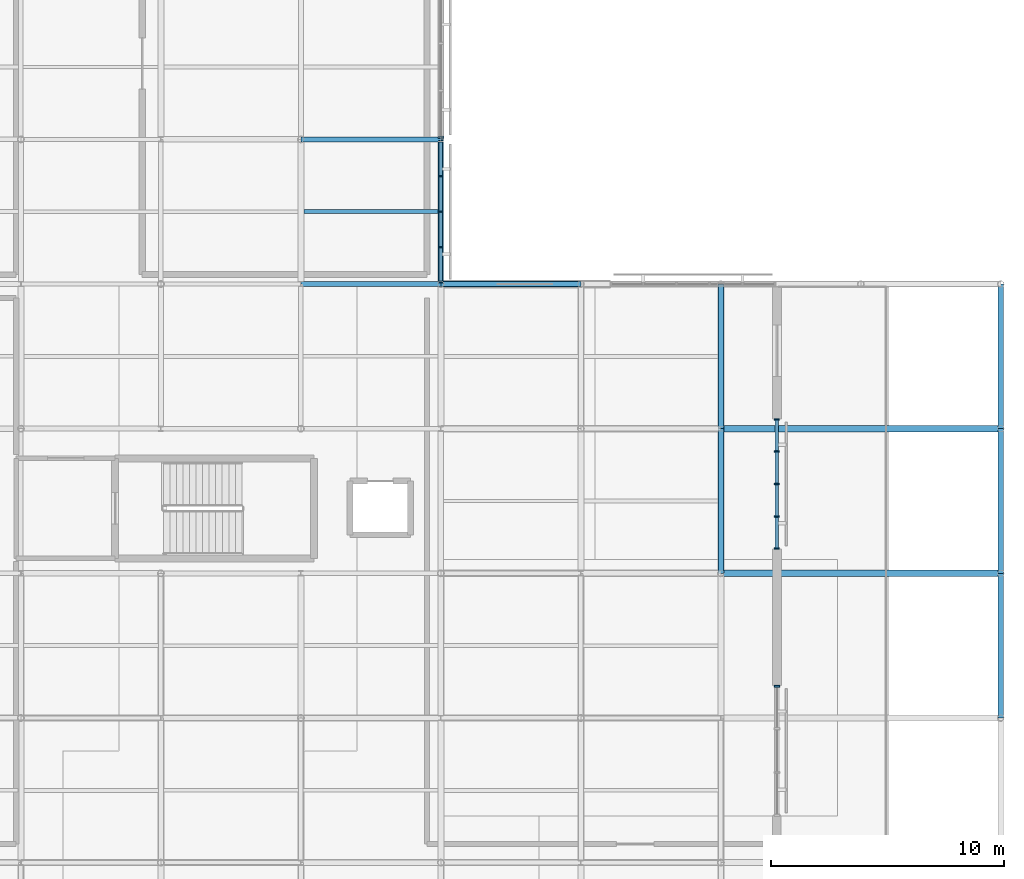
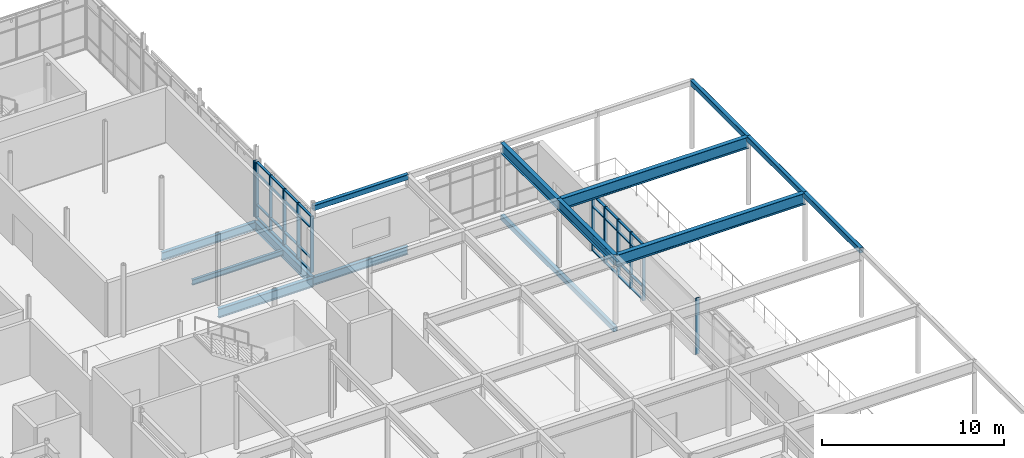
# One storey, part 31 of 48: 44 members, 15 beams, 4 elements without a shape of their own.
"""IFC4 building model written with IfcOpenShell, lengths in metres."""

from ifc_helpers import new_model, si_unit, direction, frame, origin, origin_2d, place, context, subcontext, project, spatial, rectangle, hollow_rectangle, i_section, extrude, material, layer, layer_set, material_profile, profile_set, type_object, element, aggregate, save


model = new_model("IFC4")

# Units and contexts
model_context = context("Model", 3, precision=1e-05, world=origin(), true_north=direction((0.0, 1.0)))
body_context = subcontext(model_context, "Body", "Model", "MODEL_VIEW")
ifc_project = project(units=[si_unit("LENGTHUNIT", "METRE"), si_unit("AREAUNIT", "SQUARE_METRE"), si_unit("VOLUMEUNIT", "CUBIC_METRE"), si_unit("PLANEANGLEUNIT", "RADIAN"), si_unit("MASSUNIT", "GRAM", prefix="KILO")], contexts=[model_context])

# Site, building, storey
site_placement = place(None, origin())
site = spatial("IfcSite", under=ifc_project, at=site_placement, CompositionType="ELEMENT")
building_placement = place(site_placement, origin())
building = spatial("IfcBuilding", under=site, at=building_placement, Name="Mirzam Square Science Centre", CompositionType="ELEMENT")
storey_placement = place(building_placement, frame((0.0, 0.0, 20.39990234375)))
storey = spatial("IfcBuildingStorey", under=building, at=storey_placement, Name="L04", CompositionType="ELEMENT", Elevation=20.39990234375)

# Beams
ifc_material_1 = material(Name="Steel S355", Category="steel")
ifc_material_profile_1 = material_profile(ifc_material_1, i_section(OverallWidth=0.2099609375, OverallDepth=0.53662109375, WebThickness=0.0107421875, FlangeThickness=0.017333984375, FilletRadius=0.0126953125, at=origin_2d()), Name="533x210x101UB")
ifc_profile_set_1 = profile_set([ifc_material_profile_1], Name="Steel S355")
beam_type_1 = type_object("IfcBeamType", Name="BM-UB533", PredefinedType="BEAM", material=ifc_profile_set_1)
for number, where, z_axis, x_axis, name in (
    (1, (138.0, 86.800048828125, -0.518310546875), (1.0, 0.0, 0.0), (0.0, 1.0, 0.0), "L04 girder X24-15"),
    (2, (132.0, 93.0, -0.518310546875), (1.0, 0.0, 0.0), (0.0, 1.0, 0.0), "L04 girder X23-16"),
):
    element("IfcBeam", number, at=place(storey_placement, frame(where, z_axis=z_axis, x_axis=x_axis)), inside=storey, type_object=beam_type_1, Name=name, PredefinedType="BEAM", context=body_context, shape_type="SweptSolid", body=[
        extrude(i_section(OverallWidth=0.2099609375, OverallDepth=0.53662109375, WebThickness=0.0107421875, FlangeThickness=0.017333984375, FilletRadius=0.0126953125, at=origin_2d()), origin(), (0.0, 0.0, 1.0), 6.0),
    ])
ifc_material_profile_2 = material_profile(ifc_material_1, i_section(OverallWidth=0.22900390625, OverallDepth=0.6123046875, WebThickness=0.011962890625, FlangeThickness=0.01953125, FilletRadius=0.0126953125, at=origin_2d()), Name="610x229x125UB")
ifc_profile_set_2 = profile_set([ifc_material_profile_2], Name="Steel S355")
beam_type_2 = type_object("IfcBeamType", Name="BM-UB610", PredefinedType="BEAM", material=ifc_profile_set_2)
beam_1_placement = place(storey_placement, frame((132.0, 86.800048828125, -0.555908203125), z_axis=(1.0, 0.0, 0.0), x_axis=(0.0, 1.0, 0.0)))
element("IfcBeam", 3, at=beam_1_placement, inside=storey, type_object=beam_type_2, Name="L04 girder X23-15", PredefinedType="BEAM", context=body_context, shape_type="SweptSolid", body=[
    extrude(i_section(OverallWidth=0.22900390625, OverallDepth=0.6123046875, WebThickness=0.011962890625, FlangeThickness=0.01953125, FilletRadius=0.0126953125, at=origin_2d()), origin(), (0.0, 0.0, 1.0), 6.0),
])
beam_2_placement = place(storey_placement, frame((138.0, 86.800048828125, -0.555908203125), z_axis=(0.0, 1.0, 0.0), x_axis=(-1.0, 0.0, 0.0)))
element("IfcBeam", 4, at=beam_2_placement, inside=storey, type_object=beam_type_2, Name="L04 girder Y24-15", PredefinedType="BEAM", context=body_context, shape_type="SweptSolid", body=[
    extrude(i_section(OverallWidth=0.22900390625, OverallDepth=0.6123046875, WebThickness=0.011962890625, FlangeThickness=0.01953125, FilletRadius=0.0126953125, at=origin_2d()), origin(), (0.0, 0.0, 1.0), 6.199951171875),
])
ifc_material_profile_3 = material_profile(ifc_material_1, i_section(OverallWidth=0.25439453125, OverallDepth=0.6875, WebThickness=0.01318359375, FlangeThickness=0.02099609375, FilletRadius=0.01513671875, at=origin_2d()), Name="686x254x152UB")
ifc_profile_set_3 = profile_set([ifc_material_profile_3], Name="Steel S355")
beam_type_3 = type_object("IfcBeamType", Name="BM-UB686", PredefinedType="BEAM", material=ifc_profile_set_3)
beam_3_placement = place(storey_placement, frame((150.0, 74.39990234375, 4.226318359375), z_axis=(0.0, 1.0, 0.0), x_axis=(-1.0, 0.0, 0.0)))
element("IfcBeam", 5, at=beam_3_placement, inside=storey, type_object=beam_type_3, Name="Parasol roof girder X26 Y13-14", PredefinedType="BEAM", context=body_context, shape_type="SweptSolid", body=[
    extrude(i_section(OverallWidth=0.25439453125, OverallDepth=0.6875, WebThickness=0.01318359375, FlangeThickness=0.02099609375, FilletRadius=0.01513671875, at=origin_2d()), origin(), (0.0, 0.0, 1.0), 6.2001953125),
])
beam_4_placement = place(storey_placement, frame((150.0, 80.60009765625, 4.226318359375), z_axis=(0.0, 1.0, 0.0), x_axis=(-1.0, 0.0, 0.0)))
element("IfcBeam", 6, at=beam_4_placement, inside=storey, type_object=beam_type_3, Name="Parasol roof girder X26 Y14-15", PredefinedType="BEAM", context=body_context, shape_type="SweptSolid", body=[
    extrude(i_section(OverallWidth=0.25439453125, OverallDepth=0.6875, WebThickness=0.01318359375, FlangeThickness=0.02099609375, FilletRadius=0.01513671875, at=origin_2d()), origin(), (0.0, 0.0, 1.0), 6.199951171875),
])
ifc_material_profile_4 = material_profile(ifc_material_1, i_section(OverallWidth=0.2666015625, OverallDepth=0.76220703125, WebThickness=0.014404296875, FlangeThickness=0.021484375, FilletRadius=0.0166015625, at=origin_2d()), Name="762x267x173UB")
ifc_profile_set_4 = profile_set([ifc_material_profile_4], Name="Steel S355")
beam_type_4 = type_object("IfcBeamType", Name="BM-UB762", PredefinedType="BEAM", material=ifc_profile_set_4)
for number, where, z_axis, x_axis, name in (
    (7, (150.0, 74.39990234375, 4.18896484375), (1.0, 0.0, 0.0), (0.0, 1.0, 0.0), "Parasol roof girder Y13 X26-28"),
    (8, (150.0, 80.60009765625, 4.18896484375), (1.0, 0.0, 0.0), (0.0, 1.0, 0.0), "Parasol roof girder Y14 X26-28"),
):
    element("IfcBeam", number, at=place(storey_placement, frame(where, z_axis=z_axis, x_axis=x_axis)), inside=storey, type_object=beam_type_4, Name=name, PredefinedType="BEAM", context=body_context, shape_type="SweptSolid", body=[
        extrude(i_section(OverallWidth=0.2666015625, OverallDepth=0.76220703125, WebThickness=0.014404296875, FlangeThickness=0.021484375, FilletRadius=0.0166015625, at=origin_2d()), origin(), (0.0, 0.0, 1.0), 12.0),
    ])

# Curtain wall, members
ifc_material_2 = material(Name="Anodised Aluminium and Low-E Solar Glass", Category="aluminium")
ifc_layer_1 = layer(ifc_material_2, 0.179931640625)
ifc_layer_set_1 = layer_set([ifc_layer_1], Name="CW-LINK-A")
curtain_wall_type_1 = type_object("IfcCurtainWallType", Name="CW-LINK-A", PredefinedType="USERDEFINED", material=ifc_layer_set_1)
curtain_wall_1_placement = place(storey_placement, origin())
curtain_wall_1 = element("IfcCurtainWall", 9, at=curtain_wall_1_placement, inside=storey, type_object=curtain_wall_type_1, Name="L04 unitised curtain wall 151", ObjectType="UNITISED CURTAIN WALL", PredefinedType="USERDEFINED")
ifc_material_3 = material(Name="Anodised Architectural Aluminium 6063-T6", Category="aluminium")
ifc_material_profile_5 = material_profile(ifc_material_3, rectangle(XDim=0.06494140625, YDim=0.199951171875, at=origin_2d()), Name="ALU-MULL-200x65x5")
ifc_profile_set_5 = profile_set([ifc_material_profile_5], Name="Anodised Architectural Aluminium 6063-T6")
member_type_1 = type_object("IfcMemberType", Name="CWM-200", PredefinedType="MULLION", material=ifc_profile_set_5)
member_1_placement = place(storey_placement, frame((152.39990234375, 75.458984375, 0.0), z_axis=(0.0, 0.0, 1.0), x_axis=(0.0, 1.0, 0.0)))
member_1 = element("IfcMember", 10, at=member_1_placement, type_object=member_type_1, Name="CW-08 mullion 1", PredefinedType="MULLION", context=body_context, shape_type="SweptSolid", body=[
    extrude(rectangle(XDim=0.06494140625, YDim=0.199951171875, at=origin_2d()), origin(), (0.0, 0.0, 1.0), 3.760009765625),
])
member_2_placement = place(storey_placement, frame((152.39990234375, 76.827392578125, 0.0), z_axis=(0.0, 0.0, 1.0), x_axis=(0.0, 1.0, 0.0)))
member_2 = element("IfcMember", 11, at=member_2_placement, type_object=member_type_1, Name="CW-08 mullion 2", PredefinedType="MULLION", context=body_context, shape_type="SweptSolid", body=[
    extrude(rectangle(XDim=0.06494140625, YDim=0.199951171875, at=origin_2d()), origin(), (0.0, 0.0, 1.0), 3.760009765625),
])
member_3_placement = place(storey_placement, frame((152.39990234375, 78.228515625, 0.0), z_axis=(0.0, 0.0, 1.0), x_axis=(0.0, 1.0, 0.0)))
member_3 = element("IfcMember", 12, at=member_3_placement, type_object=member_type_1, Name="CW-08 mullion 3", PredefinedType="MULLION", context=body_context, shape_type="SweptSolid", body=[
    extrude(rectangle(XDim=0.06494140625, YDim=0.199951171875, at=origin_2d()), origin(), (0.0, 0.0, 1.0), 3.760009765625),
])
member_4_placement = place(storey_placement, frame((152.39990234375, 79.629638671875, 0.0), z_axis=(0.0, 0.0, 1.0), x_axis=(0.0, 1.0, 0.0)))
member_4 = element("IfcMember", 13, at=member_4_placement, type_object=member_type_1, Name="CW-08 mullion 4", PredefinedType="MULLION", context=body_context, shape_type="SweptSolid", body=[
    extrude(rectangle(XDim=0.06494140625, YDim=0.199951171875, at=origin_2d()), origin(), (0.0, 0.0, 1.0), 3.760009765625),
])
member_5_placement = place(storey_placement, frame((152.39990234375, 80.998291015625, 0.0), z_axis=(0.0, 0.0, 1.0), x_axis=(0.0, 1.0, 0.0)))
member_5 = element("IfcMember", 14, at=member_5_placement, type_object=member_type_1, Name="CW-08 mullion 5", PredefinedType="MULLION", context=body_context, shape_type="SweptSolid", body=[
    extrude(rectangle(XDim=0.06494140625, YDim=0.199951171875, at=origin_2d()), origin(), (0.0, 0.0, 1.0), 3.760009765625),
])

ifc_layer_2 = layer(ifc_material_2, 0.199951171875)
ifc_layer_set_2 = layer_set([ifc_layer_2], Name="CW-EAST-A")
curtain_wall_type_2 = type_object("IfcCurtainWallType", Name="CW-EAST-A", PredefinedType="USERDEFINED", material=ifc_layer_set_2)
curtain_wall_2_placement = place(storey_placement, origin())
curtain_wall_2 = element("IfcCurtainWall", 15, at=curtain_wall_2_placement, inside=storey, type_object=curtain_wall_type_2, Name="L04 unitised curtain wall 159", ObjectType="UNITISED CURTAIN WALL", PredefinedType="USERDEFINED")
member_6_placement = place(storey_placement, frame((138.0, 86.887451171875, 0.0), z_axis=(0.0, 0.0, 1.0), x_axis=(0.0, 1.0, 0.0)))
member_6 = element("IfcMember", 16, at=member_6_placement, type_object=member_type_1, Name="CW-05 mullion 1", PredefinedType="MULLION", context=body_context, shape_type="SweptSolid", body=[
    extrude(rectangle(XDim=0.06494140625, YDim=0.199951171875, at=origin_2d()), origin(), (0.0, 0.0, 1.0), 3.760009765625),
])
member_7_placement = place(storey_placement, frame((138.0, 88.37744140625, 0.0), z_axis=(0.0, 0.0, 1.0), x_axis=(0.0, 1.0, 0.0)))
member_7 = element("IfcMember", 17, at=member_7_placement, type_object=member_type_1, Name="CW-05 mullion 2", PredefinedType="MULLION", context=body_context, shape_type="SweptSolid", body=[
    extrude(rectangle(XDim=0.06494140625, YDim=0.199951171875, at=origin_2d()), origin(), (0.0, 0.0, 1.0), 3.760009765625),
])
member_8_placement = place(storey_placement, frame((138.0, 89.89990234375, 0.0), z_axis=(0.0, 0.0, 1.0), x_axis=(0.0, 1.0, 0.0)))
member_8 = element("IfcMember", 18, at=member_8_placement, type_object=member_type_1, Name="CW-05 mullion 3", PredefinedType="MULLION", context=body_context, shape_type="SweptSolid", body=[
    extrude(rectangle(XDim=0.06494140625, YDim=0.199951171875, at=origin_2d()), origin(), (0.0, 0.0, 1.0), 3.760009765625),
])
member_9_placement = place(storey_placement, frame((138.0, 91.422607421875, 0.0), z_axis=(0.0, 0.0, 1.0), x_axis=(0.0, 1.0, 0.0)))
member_9 = element("IfcMember", 19, at=member_9_placement, type_object=member_type_1, Name="CW-05 mullion 4", PredefinedType="MULLION", context=body_context, shape_type="SweptSolid", body=[
    extrude(rectangle(XDim=0.06494140625, YDim=0.199951171875, at=origin_2d()), origin(), (0.0, 0.0, 1.0), 3.760009765625),
])
member_10_placement = place(storey_placement, frame((138.0, 92.91259765625, 0.0), z_axis=(0.0, 0.0, 1.0), x_axis=(0.0, 1.0, 0.0)))
member_10 = element("IfcMember", 20, at=member_10_placement, type_object=member_type_1, Name="CW-05 mullion 5", PredefinedType="MULLION", context=body_context, shape_type="SweptSolid", body=[
    extrude(rectangle(XDim=0.06494140625, YDim=0.199951171875, at=origin_2d()), origin(), (0.0, 0.0, 1.0), 3.760009765625),
])

# Curtain wall, member
ifc_layer_3 = layer(ifc_material_2, 0.239990234375)
ifc_layer_set_3 = layer_set([ifc_layer_3], Name="CW-EAST-B")
curtain_wall_type_3 = type_object("IfcCurtainWallType", Name="CW-EAST-B", PredefinedType="USERDEFINED", material=ifc_layer_set_3)
curtain_wall_3_placement = place(storey_placement, origin())
curtain_wall_3 = element("IfcCurtainWall", 21, at=curtain_wall_3_placement, inside=storey, type_object=curtain_wall_type_3, Name="L04 unitised curtain wall 150", ObjectType="UNITISED CURTAIN WALL", PredefinedType="USERDEFINED")
ifc_material_profile_6 = material_profile(ifc_material_3, rectangle(XDim=0.074951171875, YDim=0.239990234375, at=origin_2d()), Name="ALU-MULL-240x75x5")
ifc_profile_set_6 = profile_set([ifc_material_profile_6], Name="Anodised Architectural Aluminium 6063-T6")
member_type_2 = type_object("IfcMemberType", Name="CWM-240", PredefinedType="MULLION", material=ifc_profile_set_6)
member_11_placement = place(storey_placement, frame((152.39990234375, 69.564697265625, 0.0), z_axis=(0.0, 0.0, 1.0), x_axis=(0.0, 1.0, 0.0)))
member_11 = element("IfcMember", 22, at=member_11_placement, type_object=member_type_2, Name="CW-06 mullion 4", PredefinedType="MULLION", context=body_context, shape_type="SweptSolid", body=[
    extrude(rectangle(XDim=0.074951171875, YDim=0.239990234375, at=origin_2d()), origin(), (0.0, 0.0, 1.0), 3.760009765625),
])
aggregate(curtain_wall_3, [member_11])

curtain_wall_4_placement = place(storey_placement, origin())
curtain_wall_4 = element("IfcCurtainWall", 23, at=curtain_wall_4_placement, inside=storey, type_object=curtain_wall_type_3, Name="L04 unitised curtain wall 161", ObjectType="UNITISED CURTAIN WALL", PredefinedType="USERDEFINED")
member_12_placement = place(storey_placement, frame((138.0, 93.092529296875, 0.0), z_axis=(0.0, 0.0, 1.0), x_axis=(0.0, 1.0, 0.0)))
member_12 = element("IfcMember", 24, at=member_12_placement, type_object=member_type_2, Name="CW-06 mullion 1", PredefinedType="MULLION", context=body_context, shape_type="SweptSolid", body=[
    extrude(rectangle(XDim=0.074951171875, YDim=0.239990234375, at=origin_2d()), origin(), (0.0, 0.0, 1.0), 3.760009765625),
])
aggregate(curtain_wall_4, [member_12])

# Member
ifc_material_profile_7 = material_profile(ifc_material_3, rectangle(XDim=0.14990234375, YDim=0.06494140625, at=origin_2d()), Name="ALU-TRAN-150x65x4")
ifc_profile_set_7 = profile_set([ifc_material_profile_7], Name="Anodised Architectural Aluminium 6063-T6")
member_type_3 = type_object("IfcMemberType", Name="CWT-150", PredefinedType="USERDEFINED", material=ifc_profile_set_7)
member_13_placement = place(storey_placement, frame((152.39990234375, 75.491455078125, 0.03271484375), z_axis=(0.0, 1.0, 0.0), x_axis=(-1.0, 0.0, 0.0)))
member_13 = element("IfcMember", 25, at=member_13_placement, type_object=member_type_3, Name="CW-08 transom 1.1", ObjectType="TRANSOM", PredefinedType="USERDEFINED", context=body_context, shape_type="SweptSolid", body=[
    extrude(rectangle(XDim=0.14990234375, YDim=0.06494140625, at=origin_2d()), origin(), (0.0, 0.0, 1.0), 1.303466796875),
])

member_14_placement = place(storey_placement, frame((152.39990234375, 75.491455078125, 0.900146484375), z_axis=(0.0, 1.0, 0.0), x_axis=(-1.0, 0.0, 0.0)))
member_14 = element("IfcMember", 26, at=member_14_placement, type_object=member_type_3, Name="CW-08 transom 1.2", ObjectType="TRANSOM", PredefinedType="USERDEFINED", context=body_context, shape_type="SweptSolid", body=[
    extrude(rectangle(XDim=0.14990234375, YDim=0.06494140625, at=origin_2d()), origin(), (0.0, 0.0, 1.0), 1.303466796875),
])

member_15_placement = place(storey_placement, frame((152.39990234375, 75.491455078125, 2.960205078125), z_axis=(0.0, 1.0, 0.0), x_axis=(-1.0, 0.0, 0.0)))
member_15 = element("IfcMember", 27, at=member_15_placement, type_object=member_type_3, Name="CW-08 transom 1.3", ObjectType="TRANSOM", PredefinedType="USERDEFINED", context=body_context, shape_type="SweptSolid", body=[
    extrude(rectangle(XDim=0.14990234375, YDim=0.06494140625, at=origin_2d()), origin(), (0.0, 0.0, 1.0), 1.303466796875),
])

member_16_placement = place(storey_placement, frame((152.39990234375, 75.491455078125, 3.7275390625), z_axis=(0.0, 1.0, 0.0), x_axis=(-1.0, 0.0, 0.0)))
member_16 = element("IfcMember", 28, at=member_16_placement, type_object=member_type_3, Name="CW-08 transom 1.4", ObjectType="TRANSOM", PredefinedType="USERDEFINED", context=body_context, shape_type="SweptSolid", body=[
    extrude(rectangle(XDim=0.14990234375, YDim=0.06494140625, at=origin_2d()), origin(), (0.0, 0.0, 1.0), 1.303466796875),
])

member_17_placement = place(storey_placement, frame((152.39990234375, 76.85986328125, 0.03271484375), z_axis=(0.0, 1.0, 0.0), x_axis=(-1.0, 0.0, 0.0)))
member_17 = element("IfcMember", 29, at=member_17_placement, type_object=member_type_3, Name="CW-08 transom 2.1", ObjectType="TRANSOM", PredefinedType="USERDEFINED", context=body_context, shape_type="SweptSolid", body=[
    extrude(rectangle(XDim=0.14990234375, YDim=0.06494140625, at=origin_2d()), origin(), (0.0, 0.0, 1.0), 1.336181640625),
])

member_18_placement = place(storey_placement, frame((152.39990234375, 76.85986328125, 0.900146484375), z_axis=(0.0, 1.0, 0.0), x_axis=(-1.0, 0.0, 0.0)))
member_18 = element("IfcMember", 30, at=member_18_placement, type_object=member_type_3, Name="CW-08 transom 2.2", ObjectType="TRANSOM", PredefinedType="USERDEFINED", context=body_context, shape_type="SweptSolid", body=[
    extrude(rectangle(XDim=0.14990234375, YDim=0.06494140625, at=origin_2d()), origin(), (0.0, 0.0, 1.0), 1.336181640625),
])

member_19_placement = place(storey_placement, frame((152.39990234375, 76.85986328125, 2.960205078125), z_axis=(0.0, 1.0, 0.0), x_axis=(-1.0, 0.0, 0.0)))
member_19 = element("IfcMember", 31, at=member_19_placement, type_object=member_type_3, Name="CW-08 transom 2.3", ObjectType="TRANSOM", PredefinedType="USERDEFINED", context=body_context, shape_type="SweptSolid", body=[
    extrude(rectangle(XDim=0.14990234375, YDim=0.06494140625, at=origin_2d()), origin(), (0.0, 0.0, 1.0), 1.336181640625),
])

member_20_placement = place(storey_placement, frame((152.39990234375, 76.85986328125, 3.7275390625), z_axis=(0.0, 1.0, 0.0), x_axis=(-1.0, 0.0, 0.0)))
member_20 = element("IfcMember", 32, at=member_20_placement, type_object=member_type_3, Name="CW-08 transom 2.4", ObjectType="TRANSOM", PredefinedType="USERDEFINED", context=body_context, shape_type="SweptSolid", body=[
    extrude(rectangle(XDim=0.14990234375, YDim=0.06494140625, at=origin_2d()), origin(), (0.0, 0.0, 1.0), 1.336181640625),
])

member_21_placement = place(storey_placement, frame((152.39990234375, 78.260986328125, 0.03271484375), z_axis=(0.0, 1.0, 0.0), x_axis=(-1.0, 0.0, 0.0)))
member_21 = element("IfcMember", 33, at=member_21_placement, type_object=member_type_3, Name="CW-08 transom 3.1", ObjectType="TRANSOM", PredefinedType="USERDEFINED", context=body_context, shape_type="SweptSolid", body=[
    extrude(rectangle(XDim=0.14990234375, YDim=0.06494140625, at=origin_2d()), origin(), (0.0, 0.0, 1.0), 1.336181640625),
])

member_22_placement = place(storey_placement, frame((152.39990234375, 78.260986328125, 0.900146484375), z_axis=(0.0, 1.0, 0.0), x_axis=(-1.0, 0.0, 0.0)))
member_22 = element("IfcMember", 34, at=member_22_placement, type_object=member_type_3, Name="CW-08 transom 3.2", ObjectType="TRANSOM", PredefinedType="USERDEFINED", context=body_context, shape_type="SweptSolid", body=[
    extrude(rectangle(XDim=0.14990234375, YDim=0.06494140625, at=origin_2d()), origin(), (0.0, 0.0, 1.0), 1.336181640625),
])

member_23_placement = place(storey_placement, frame((152.39990234375, 78.260986328125, 2.960205078125), z_axis=(0.0, 1.0, 0.0), x_axis=(-1.0, 0.0, 0.0)))
member_23 = element("IfcMember", 35, at=member_23_placement, type_object=member_type_3, Name="CW-08 transom 3.3", ObjectType="TRANSOM", PredefinedType="USERDEFINED", context=body_context, shape_type="SweptSolid", body=[
    extrude(rectangle(XDim=0.14990234375, YDim=0.06494140625, at=origin_2d()), origin(), (0.0, 0.0, 1.0), 1.336181640625),
])

member_24_placement = place(storey_placement, frame((152.39990234375, 78.260986328125, 3.7275390625), z_axis=(0.0, 1.0, 0.0), x_axis=(-1.0, 0.0, 0.0)))
member_24 = element("IfcMember", 36, at=member_24_placement, type_object=member_type_3, Name="CW-08 transom 3.4", ObjectType="TRANSOM", PredefinedType="USERDEFINED", context=body_context, shape_type="SweptSolid", body=[
    extrude(rectangle(XDim=0.14990234375, YDim=0.06494140625, at=origin_2d()), origin(), (0.0, 0.0, 1.0), 1.336181640625),
])

member_25_placement = place(storey_placement, frame((152.39990234375, 79.662109375, 0.03271484375), z_axis=(0.0, 1.0, 0.0), x_axis=(-1.0, 0.0, 0.0)))
member_25 = element("IfcMember", 37, at=member_25_placement, type_object=member_type_3, Name="CW-08 transom 4.1", ObjectType="TRANSOM", PredefinedType="USERDEFINED", context=body_context, shape_type="SweptSolid", body=[
    extrude(rectangle(XDim=0.14990234375, YDim=0.06494140625, at=origin_2d()), origin(), (0.0, 0.0, 1.0), 1.3037109375),
])

member_26_placement = place(storey_placement, frame((152.39990234375, 79.662109375, 0.900146484375), z_axis=(0.0, 1.0, 0.0), x_axis=(-1.0, 0.0, 0.0)))
member_26 = element("IfcMember", 38, at=member_26_placement, type_object=member_type_3, Name="CW-08 transom 4.2", ObjectType="TRANSOM", PredefinedType="USERDEFINED", context=body_context, shape_type="SweptSolid", body=[
    extrude(rectangle(XDim=0.14990234375, YDim=0.06494140625, at=origin_2d()), origin(), (0.0, 0.0, 1.0), 1.3037109375),
])

member_27_placement = place(storey_placement, frame((152.39990234375, 79.662109375, 2.960205078125), z_axis=(0.0, 1.0, 0.0), x_axis=(-1.0, 0.0, 0.0)))
member_27 = element("IfcMember", 39, at=member_27_placement, type_object=member_type_3, Name="CW-08 transom 4.3", ObjectType="TRANSOM", PredefinedType="USERDEFINED", context=body_context, shape_type="SweptSolid", body=[
    extrude(rectangle(XDim=0.14990234375, YDim=0.06494140625, at=origin_2d()), origin(), (0.0, 0.0, 1.0), 1.3037109375),
])

member_28_placement = place(storey_placement, frame((152.39990234375, 79.662109375, 3.7275390625), z_axis=(0.0, 1.0, 0.0), x_axis=(-1.0, 0.0, 0.0)))
member_28 = element("IfcMember", 40, at=member_28_placement, type_object=member_type_3, Name="CW-08 transom 4.4", ObjectType="TRANSOM", PredefinedType="USERDEFINED", context=body_context, shape_type="SweptSolid", body=[
    extrude(rectangle(XDim=0.14990234375, YDim=0.06494140625, at=origin_2d()), origin(), (0.0, 0.0, 1.0), 1.3037109375),
])

aggregate(curtain_wall_1, [member_1, member_2, member_3, member_4, member_5, member_13, member_14, member_15, member_16, member_17, member_18, member_19, member_20, member_21, member_22, member_23, member_24, member_25, member_26, member_27, member_28])

member_29_placement = place(storey_placement, frame((138.0, 86.919921875, 0.03271484375), z_axis=(0.0, 1.0, 0.0), x_axis=(-1.0, 0.0, 0.0)))
member_29 = element("IfcMember", 41, at=member_29_placement, type_object=member_type_3, Name="CW-05 transom 1.1", ObjectType="TRANSOM", PredefinedType="USERDEFINED", context=body_context, shape_type="SweptSolid", body=[
    extrude(rectangle(XDim=0.14990234375, YDim=0.06494140625, at=origin_2d()), origin(), (0.0, 0.0, 1.0), 1.425048828125),
])

member_30_placement = place(storey_placement, frame((138.0, 86.919921875, 0.900146484375), z_axis=(0.0, 1.0, 0.0), x_axis=(-1.0, 0.0, 0.0)))
member_30 = element("IfcMember", 42, at=member_30_placement, type_object=member_type_3, Name="CW-05 transom 1.2", ObjectType="TRANSOM", PredefinedType="USERDEFINED", context=body_context, shape_type="SweptSolid", body=[
    extrude(rectangle(XDim=0.14990234375, YDim=0.06494140625, at=origin_2d()), origin(), (0.0, 0.0, 1.0), 1.425048828125),
])

member_31_placement = place(storey_placement, frame((138.0, 86.919921875, 2.960205078125), z_axis=(0.0, 1.0, 0.0), x_axis=(-1.0, 0.0, 0.0)))
member_31 = element("IfcMember", 43, at=member_31_placement, type_object=member_type_3, Name="CW-05 transom 1.3", ObjectType="TRANSOM", PredefinedType="USERDEFINED", context=body_context, shape_type="SweptSolid", body=[
    extrude(rectangle(XDim=0.14990234375, YDim=0.06494140625, at=origin_2d()), origin(), (0.0, 0.0, 1.0), 1.425048828125),
])

member_32_placement = place(storey_placement, frame((138.0, 86.919921875, 3.7275390625), z_axis=(0.0, 1.0, 0.0), x_axis=(-1.0, 0.0, 0.0)))
member_32 = element("IfcMember", 44, at=member_32_placement, type_object=member_type_3, Name="CW-05 transom 1.4", ObjectType="TRANSOM", PredefinedType="USERDEFINED", context=body_context, shape_type="SweptSolid", body=[
    extrude(rectangle(XDim=0.14990234375, YDim=0.06494140625, at=origin_2d()), origin(), (0.0, 0.0, 1.0), 1.425048828125),
])

member_33_placement = place(storey_placement, frame((138.0, 88.409912109375, 0.03271484375), z_axis=(0.0, 1.0, 0.0), x_axis=(-1.0, 0.0, 0.0)))
member_33 = element("IfcMember", 45, at=member_33_placement, type_object=member_type_3, Name="CW-05 transom 2.1", ObjectType="TRANSOM", PredefinedType="USERDEFINED", context=body_context, shape_type="SweptSolid", body=[
    extrude(rectangle(XDim=0.14990234375, YDim=0.06494140625, at=origin_2d()), origin(), (0.0, 0.0, 1.0), 1.45751953125),
])

member_34_placement = place(storey_placement, frame((138.0, 88.409912109375, 0.900146484375), z_axis=(0.0, 1.0, 0.0), x_axis=(-1.0, 0.0, 0.0)))
member_34 = element("IfcMember", 46, at=member_34_placement, type_object=member_type_3, Name="CW-05 transom 2.2", ObjectType="TRANSOM", PredefinedType="USERDEFINED", context=body_context, shape_type="SweptSolid", body=[
    extrude(rectangle(XDim=0.14990234375, YDim=0.06494140625, at=origin_2d()), origin(), (0.0, 0.0, 1.0), 1.45751953125),
])

member_35_placement = place(storey_placement, frame((138.0, 88.409912109375, 2.960205078125), z_axis=(0.0, 1.0, 0.0), x_axis=(-1.0, 0.0, 0.0)))
member_35 = element("IfcMember", 47, at=member_35_placement, type_object=member_type_3, Name="CW-05 transom 2.3", ObjectType="TRANSOM", PredefinedType="USERDEFINED", context=body_context, shape_type="SweptSolid", body=[
    extrude(rectangle(XDim=0.14990234375, YDim=0.06494140625, at=origin_2d()), origin(), (0.0, 0.0, 1.0), 1.45751953125),
])

member_36_placement = place(storey_placement, frame((138.0, 88.409912109375, 3.7275390625), z_axis=(0.0, 1.0, 0.0), x_axis=(-1.0, 0.0, 0.0)))
member_36 = element("IfcMember", 48, at=member_36_placement, type_object=member_type_3, Name="CW-05 transom 2.4", ObjectType="TRANSOM", PredefinedType="USERDEFINED", context=body_context, shape_type="SweptSolid", body=[
    extrude(rectangle(XDim=0.14990234375, YDim=0.06494140625, at=origin_2d()), origin(), (0.0, 0.0, 1.0), 1.45751953125),
])

member_37_placement = place(storey_placement, frame((138.0, 89.9326171875, 0.03271484375), z_axis=(0.0, 1.0, 0.0), x_axis=(-1.0, 0.0, 0.0)))
member_37 = element("IfcMember", 49, at=member_37_placement, type_object=member_type_3, Name="CW-05 transom 3.1", ObjectType="TRANSOM", PredefinedType="USERDEFINED", context=body_context, shape_type="SweptSolid", body=[
    extrude(rectangle(XDim=0.14990234375, YDim=0.06494140625, at=origin_2d()), origin(), (0.0, 0.0, 1.0), 1.457275390625),
])

member_38_placement = place(storey_placement, frame((138.0, 89.9326171875, 0.900146484375), z_axis=(0.0, 1.0, 0.0), x_axis=(-1.0, 0.0, 0.0)))
member_38 = element("IfcMember", 50, at=member_38_placement, type_object=member_type_3, Name="CW-05 transom 3.2", ObjectType="TRANSOM", PredefinedType="USERDEFINED", context=body_context, shape_type="SweptSolid", body=[
    extrude(rectangle(XDim=0.14990234375, YDim=0.06494140625, at=origin_2d()), origin(), (0.0, 0.0, 1.0), 1.457275390625),
])

member_39_placement = place(storey_placement, frame((138.0, 89.9326171875, 2.960205078125), z_axis=(0.0, 1.0, 0.0), x_axis=(-1.0, 0.0, 0.0)))
member_39 = element("IfcMember", 51, at=member_39_placement, type_object=member_type_3, Name="CW-05 transom 3.3", ObjectType="TRANSOM", PredefinedType="USERDEFINED", context=body_context, shape_type="SweptSolid", body=[
    extrude(rectangle(XDim=0.14990234375, YDim=0.06494140625, at=origin_2d()), origin(), (0.0, 0.0, 1.0), 1.457275390625),
])

member_40_placement = place(storey_placement, frame((138.0, 89.9326171875, 3.7275390625), z_axis=(0.0, 1.0, 0.0), x_axis=(-1.0, 0.0, 0.0)))
member_40 = element("IfcMember", 52, at=member_40_placement, type_object=member_type_3, Name="CW-05 transom 3.4", ObjectType="TRANSOM", PredefinedType="USERDEFINED", context=body_context, shape_type="SweptSolid", body=[
    extrude(rectangle(XDim=0.14990234375, YDim=0.06494140625, at=origin_2d()), origin(), (0.0, 0.0, 1.0), 1.457275390625),
])

member_41_placement = place(storey_placement, frame((138.0, 91.455078125, 0.03271484375), z_axis=(0.0, 1.0, 0.0), x_axis=(-1.0, 0.0, 0.0)))
member_41 = element("IfcMember", 53, at=member_41_placement, type_object=member_type_3, Name="CW-05 transom 4.1", ObjectType="TRANSOM", PredefinedType="USERDEFINED", context=body_context, shape_type="SweptSolid", body=[
    extrude(rectangle(XDim=0.14990234375, YDim=0.06494140625, at=origin_2d()), origin(), (0.0, 0.0, 1.0), 1.4248046875),
])

member_42_placement = place(storey_placement, frame((138.0, 91.455078125, 0.900146484375), z_axis=(0.0, 1.0, 0.0), x_axis=(-1.0, 0.0, 0.0)))
member_42 = element("IfcMember", 54, at=member_42_placement, type_object=member_type_3, Name="CW-05 transom 4.2", ObjectType="TRANSOM", PredefinedType="USERDEFINED", context=body_context, shape_type="SweptSolid", body=[
    extrude(rectangle(XDim=0.14990234375, YDim=0.06494140625, at=origin_2d()), origin(), (0.0, 0.0, 1.0), 1.4248046875),
])

member_43_placement = place(storey_placement, frame((138.0, 91.455078125, 2.960205078125), z_axis=(0.0, 1.0, 0.0), x_axis=(-1.0, 0.0, 0.0)))
member_43 = element("IfcMember", 55, at=member_43_placement, type_object=member_type_3, Name="CW-05 transom 4.3", ObjectType="TRANSOM", PredefinedType="USERDEFINED", context=body_context, shape_type="SweptSolid", body=[
    extrude(rectangle(XDim=0.14990234375, YDim=0.06494140625, at=origin_2d()), origin(), (0.0, 0.0, 1.0), 1.4248046875),
])

member_44_placement = place(storey_placement, frame((138.0, 91.455078125, 3.7275390625), z_axis=(0.0, 1.0, 0.0), x_axis=(-1.0, 0.0, 0.0)))
member_44 = element("IfcMember", 56, at=member_44_placement, type_object=member_type_3, Name="CW-05 transom 4.4", ObjectType="TRANSOM", PredefinedType="USERDEFINED", context=body_context, shape_type="SweptSolid", body=[
    extrude(rectangle(XDim=0.14990234375, YDim=0.06494140625, at=origin_2d()), origin(), (0.0, 0.0, 1.0), 1.4248046875),
])

aggregate(curtain_wall_2, [member_6, member_7, member_8, member_9, member_10, member_29, member_30, member_31, member_32, member_33, member_34, member_35, member_36, member_37, member_38, member_39, member_40, member_41, member_42, member_43, member_44])

# Beams
ifc_material_profile_8 = material_profile(ifc_material_1, i_section(OverallWidth=0.172119140625, OverallDepth=0.35791015625, WebThickness=0.008056640625, FlangeThickness=0.012939453125, FilletRadius=0.01025390625, at=origin_2d()), Name="356x171x57UB")
ifc_profile_set_8 = profile_set([ifc_material_profile_8], Name="Steel S355")
beam_type_5 = type_object("IfcBeamType", Name="JS-UB356", PredefinedType="JOIST", material=ifc_profile_set_8)
beam_5_placement = place(storey_placement, frame((132.127197265625, 89.89990234375, -0.428955078125), z_axis=(1.0, 0.0, 0.0), x_axis=(0.0, 1.0, 0.0)))
element("IfcBeam", 57, at=beam_5_placement, inside=storey, type_object=beam_type_5, Name="L04 composite joist 23-15", PredefinedType="JOIST", context=body_context, shape_type="SweptSolid", body=[
    extrude(i_section(OverallWidth=0.172119140625, OverallDepth=0.35791015625, WebThickness=0.008056640625, FlangeThickness=0.012939453125, FilletRadius=0.01025390625, at=origin_2d()), origin(), (0.0, 0.0, 1.0), 5.75830078125),
])
ifc_material_profile_9 = material_profile(ifc_material_1, hollow_rectangle(XDim=0.25, YDim=0.35009765625, WallThickness=0.012451171875, InnerFilletRadius=0.012451171875, OuterFilletRadius=0.02490234375, at=origin_2d()), Name="350x250x12.5RHS")
ifc_profile_set_9 = profile_set([ifc_material_profile_9], Name="Steel S355")
beam_type_6 = type_object("IfcBeamType", Name="SP-RHS350", PredefinedType="SPANDREL", material=ifc_profile_set_9)
beam_6_placement = place(storey_placement, frame((150.0, 74.39990234375, -0.4248046875), z_axis=(0.0, 1.0, 0.0), x_axis=(-1.0, 0.0, 0.0)))
element("IfcBeam", 58, at=beam_6_placement, inside=storey, type_object=beam_type_6, Name="L04 girder Y26-13", PredefinedType="SPANDREL", context=body_context, shape_type="SweptSolid", body=[
    extrude(hollow_rectangle(XDim=0.25, YDim=0.35009765625, WallThickness=0.012451171875, InnerFilletRadius=0.012451171875, OuterFilletRadius=0.02490234375, at=origin_2d()), origin(), (0.0, 0.0, 1.0), 6.2001953125),
])
beam_7_placement = place(storey_placement, frame((150.0, 80.60009765625, -0.4248046875), z_axis=(0.0, 1.0, 0.0), x_axis=(-1.0, 0.0, 0.0)))
element("IfcBeam", 59, at=beam_7_placement, inside=storey, type_object=beam_type_6, Name="L04 girder Y26-14", PredefinedType="SPANDREL", context=body_context, shape_type="SweptSolid", body=[
    extrude(hollow_rectangle(XDim=0.25, YDim=0.35009765625, WallThickness=0.012451171875, InnerFilletRadius=0.012451171875, OuterFilletRadius=0.02490234375, at=origin_2d()), origin(), (0.0, 0.0, 1.0), 6.199951171875),
])
beam_8_placement = place(storey_placement, frame((138.0, 86.800048828125, 4.39501953125), z_axis=(1.0, 0.0, 0.0), x_axis=(0.0, 1.0, 0.0)))
element("IfcBeam", 60, at=beam_8_placement, inside=storey, type_object=beam_type_6, Name="Parasol N fascia beam 24", PredefinedType="SPANDREL", context=body_context, shape_type="SweptSolid", body=[
    extrude(hollow_rectangle(XDim=0.25, YDim=0.35009765625, WallThickness=0.012451171875, InnerFilletRadius=0.012451171875, OuterFilletRadius=0.02490234375, at=origin_2d()), origin(), (0.0, 0.0, 1.0), 6.0),
])
beam_9_placement = place(storey_placement, frame((162.0, 68.199951171875, 4.39501953125), z_axis=(0.0, 1.0, 0.0), x_axis=(-1.0, 0.0, 0.0)))
element("IfcBeam", 61, at=beam_9_placement, inside=storey, type_object=beam_type_6, Name="Parasol E fascia beam 12", PredefinedType="SPANDREL", context=body_context, shape_type="SweptSolid", body=[
    extrude(hollow_rectangle(XDim=0.25, YDim=0.35009765625, WallThickness=0.012451171875, InnerFilletRadius=0.012451171875, OuterFilletRadius=0.02490234375, at=origin_2d()), origin(), (0.0, 0.0, 1.0), 6.199951171875),
])
beam_10_placement = place(storey_placement, frame((162.0, 74.39990234375, 4.39501953125), z_axis=(0.0, 1.0, 0.0), x_axis=(-1.0, 0.0, 0.0)))
element("IfcBeam", 62, at=beam_10_placement, inside=storey, type_object=beam_type_6, Name="Parasol E fascia beam 13", PredefinedType="SPANDREL", context=body_context, shape_type="SweptSolid", body=[
    extrude(hollow_rectangle(XDim=0.25, YDim=0.35009765625, WallThickness=0.012451171875, InnerFilletRadius=0.012451171875, OuterFilletRadius=0.02490234375, at=origin_2d()), origin(), (0.0, 0.0, 1.0), 6.2001953125),
])
beam_11_placement = place(storey_placement, frame((162.0, 80.60009765625, 4.39501953125), z_axis=(0.0, 1.0, 0.0), x_axis=(-1.0, 0.0, 0.0)))
element("IfcBeam", 63, at=beam_11_placement, inside=storey, type_object=beam_type_6, Name="Parasol E fascia beam 14", PredefinedType="SPANDREL", context=body_context, shape_type="SweptSolid", body=[
    extrude(hollow_rectangle(XDim=0.25, YDim=0.35009765625, WallThickness=0.012451171875, InnerFilletRadius=0.012451171875, OuterFilletRadius=0.02490234375, at=origin_2d()), origin(), (0.0, 0.0, 1.0), 6.199951171875),
])

save(model, "model.ifc")
